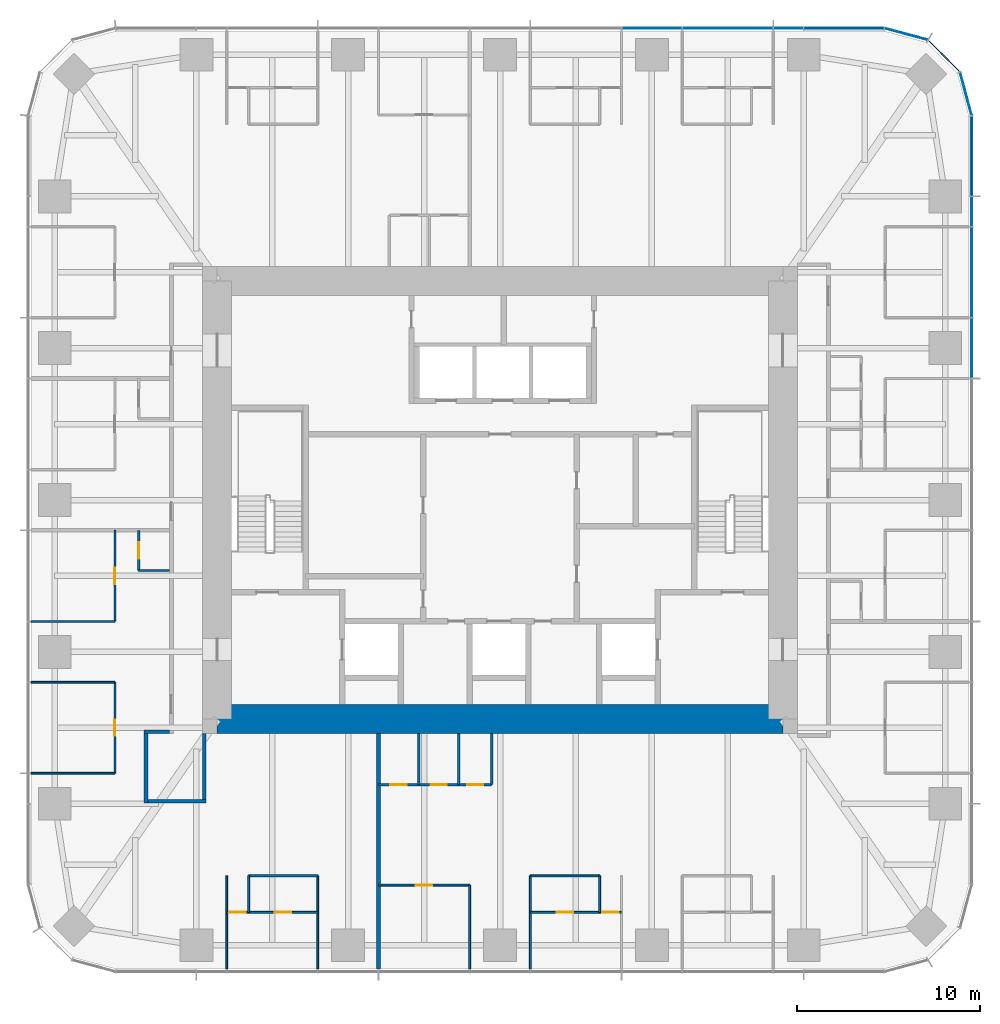
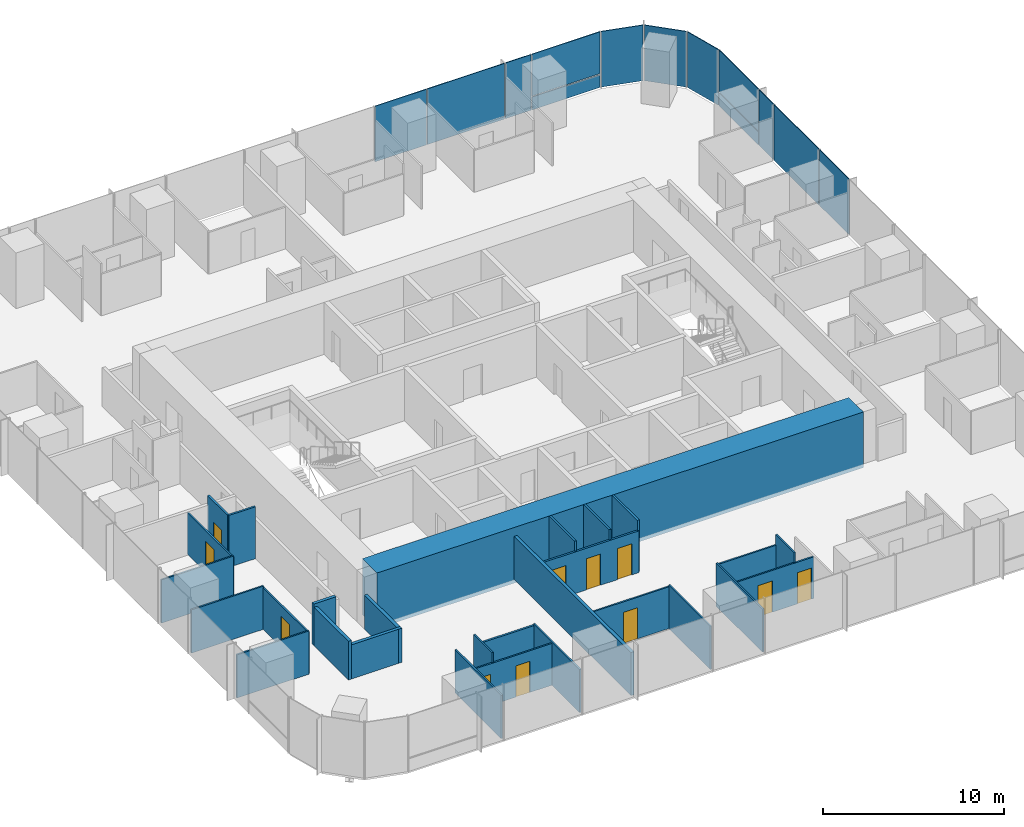
# One storey, part 8 of 13: 28 walls, 13 plates, 11 doors, 11 openings, 3 elements without a shape of their own.
"""IFC4 building model written with IfcOpenShell, lengths in metres."""

from ifc_helpers import new_model, si_unit, direction, frame, frame_2d, origin, origin_2d, place, context, subcontext, project, spatial, rectangle, extrude, material, layer, layer_set, type_object, element, fill, aggregate, save


model = new_model("IFC4")

# Units and contexts
model_context = context("Model", 3, precision=1e-05, world=origin(), true_north=direction((0.0, 1.0)))
body_context = subcontext(model_context, "Body", "Model", "MODEL_VIEW")
ifc_project = project(units=[si_unit("LENGTHUNIT", "METRE"), si_unit("AREAUNIT", "SQUARE_METRE"), si_unit("VOLUMEUNIT", "CUBIC_METRE"), si_unit("PLANEANGLEUNIT", "RADIAN"), si_unit("MASSUNIT", "GRAM", prefix="KILO")], contexts=[model_context])

# Site, building, storey
site_placement = place(None, origin())
site = spatial("IfcSite", under=ifc_project, at=site_placement, CompositionType="ELEMENT")
building_placement = place(site_placement, origin())
building = spatial("IfcBuilding", under=site, at=building_placement, Name="Khuree Lantern Residences", CompositionType="ELEMENT")
storey_placement = place(building_placement, frame((0.0, 0.0, 259.5)))
storey = spatial("IfcBuildingStorey", under=building, at=storey_placement, Name="L65", CompositionType="ELEMENT", Elevation=259.5)

# Curtain wall, plates
ifc_material_1 = material(Name="Bronze anodised aluminium", Category="aluminium")
curtain_wall_type_1 = type_object("IfcCurtainWallType", Name="CW-T2 TOWER CORNER CURTAIN WALL", PredefinedType="USERDEFINED", material=ifc_material_1)
curtain_wall_1_placement = place(storey_placement, origin())
curtain_wall_1 = element("IfcCurtainWall", 1, at=curtain_wall_1_placement, inside=storey, type_object=curtain_wall_type_1, Name="L65 NORTH-EAST CORNER CURTAIN WALL", ObjectType="Faceted corner curtain wall", PredefinedType="USERDEFINED")
ifc_material_2 = material(Name="Bronze tinted triple glazing", Category="glass")
ifc_layer_1 = layer(ifc_material_2, 0.048095703125)
ifc_layer_set_1 = layer_set([ifc_layer_1], Name="FACET PANEL P4")
plate_type_1 = type_object("IfcPlateType", Name="FACET PANEL P4", PredefinedType="CURTAIN_PANEL", material=ifc_layer_set_1)
plate_1_placement = place(storey_placement, frame((25.529052734375, 22.248046875, 0.0), z_axis=(0.0, 0.0, 1.0), x_axis=(-0.258819021888, 0.965925832509, 0.0)))
plate_1 = element("IfcPlate", 2, at=plate_1_placement, type_object=plate_type_1, Name="L65 NORTH-EAST CORNER PANEL 15.1", PredefinedType="CURTAIN_PANEL", context=body_context, shape_type="SweptSolid", body=[
    extrude(rectangle(XDim=2.40869140625, YDim=0.048095703125, at=origin_2d()), origin(), (0.0, 0.0, 1.0), 3.75),
])
plate_2_placement = place(storey_placement, frame((24.328369140625, 24.328369140625, 0.0), z_axis=(0.0, 0.0, 1.0), x_axis=(-0.707106781187, 0.707106781187, 0.0)))
plate_2 = element("IfcPlate", 3, at=plate_2_placement, type_object=plate_type_1, Name="L65 NORTH-EAST CORNER PANEL 16.1", PredefinedType="CURTAIN_PANEL", context=body_context, shape_type="SweptSolid", body=[
    extrude(rectangle(XDim=2.404541015625, YDim=0.048095703125, at=origin_2d()), origin(), (0.0, 0.0, 1.0), 3.75),
])
plate_3_placement = place(storey_placement, frame((22.248046875, 25.529052734375, 0.0), z_axis=(0.0, 0.0, 1.0), x_axis=(-0.965925832509, 0.258819021888, 0.0)))
plate_3 = element("IfcPlate", 4, at=plate_3_placement, type_object=plate_type_1, Name="L65 NORTH-EAST CORNER PANEL 17.1", PredefinedType="CURTAIN_PANEL", context=body_context, shape_type="SweptSolid", body=[
    extrude(rectangle(XDim=2.40869140625, YDim=0.048095703125, at=origin_2d()), origin(), (0.0, 0.0, 1.0), 3.75),
])
aggregate(curtain_wall_1, [plate_1, plate_2, plate_3])

# Curtain wall, plate
curtain_wall_type_2 = type_object("IfcCurtainWallType", Name="CW-T1 TOWER FACE CURTAIN WALL", PredefinedType="USERDEFINED", material=ifc_material_1)
curtain_wall_2_placement = place(storey_placement, origin())
curtain_wall_2 = element("IfcCurtainWall", 5, at=curtain_wall_2_placement, inside=storey, type_object=curtain_wall_type_2, Name="L65 EAST FACE CURTAIN WALL", ObjectType="Stick-built curtain wall", PredefinedType="USERDEFINED")
ifc_material_3 = material(Name="Bronze tinted triple glazing with a ceramic-fritted spandrel band", Category="glass")
ifc_layer_2 = layer(ifc_material_3, 0.048095703125)
ifc_layer_set_2 = layer_set([ifc_layer_2], Name="FIXED LIGHT PANEL P11")
plate_type_2 = type_object("IfcPlateType", Name="FIXED LIGHT PANEL P11", PredefinedType="CURTAIN_PANEL", material=ifc_layer_set_2)
plate_4_placement = place(storey_placement, frame((25.85009765625, 12.47998046875, 0.0), z_axis=(0.0, 0.0, 1.0), x_axis=(0.0, 1.0, 0.0)))
plate_4 = element("IfcPlate", 6, at=plate_4_placement, type_object=plate_type_2, Name="L65 EAST FACE PANEL 12.1", PredefinedType="CURTAIN_PANEL", context=body_context, shape_type="SweptSolid", body=[
    extrude(rectangle(XDim=4.927001953125, YDim=0.048095703125, at=origin_2d()), origin(), (0.0, 0.0, 1.0), 3.75),
])

curtain_wall_3_placement = place(storey_placement, origin())
curtain_wall_3 = element("IfcCurtainWall", 7, at=curtain_wall_3_placement, inside=storey, type_object=curtain_wall_type_2, Name="L65 NORTH FACE CURTAIN WALL", ObjectType="Stick-built curtain wall", PredefinedType="USERDEFINED")
plate_5_placement = place(storey_placement, frame((12.47998046875, 25.85009765625, 0.0), z_axis=(0.0, 0.0, 1.0), x_axis=(-1.0, 0.0, 0.0)))
plate_5 = element("IfcPlate", 8, at=plate_5_placement, type_object=plate_type_2, Name="L65 NORTH FACE PANEL 20.1", PredefinedType="CURTAIN_PANEL", context=body_context, shape_type="SweptSolid", body=[
    extrude(rectangle(XDim=4.927001953125, YDim=0.048095703125, at=origin_2d()), origin(), (0.0, 0.0, 1.0), 3.75),
])

# Plate
ifc_material_4 = material(Name="Bronze tinted triple glazing, two aluminium-framed sashes in one frame", Category="aluminium")
ifc_layer_3 = layer(ifc_material_4, 0.048095703125)
ifc_layer_set_3 = layer_set([ifc_layer_3], Name="SASH PAIR PANEL P12")
plate_type_3 = type_object("IfcPlateType", Name="SASH PAIR PANEL P12", PredefinedType="CURTAIN_PANEL", material=ifc_layer_set_3)
plate_6_placement = place(storey_placement, frame((25.85009765625, 8.320068359375, 0.0), z_axis=(0.0, 0.0, 1.0), x_axis=(0.0, 1.0, 0.0)))
plate_6 = element("IfcPlate", 9, at=plate_6_placement, type_object=plate_type_3, Name="L65 EAST FACE PANEL 11.1", PredefinedType="CURTAIN_PANEL", context=body_context, shape_type="SweptSolid", body=[
    extrude(rectangle(XDim=3.262939453125, YDim=0.048095703125, at=origin_2d()), origin(), (0.0, 0.0, 1.0), 3.75),
])

plate_7_placement = place(storey_placement, frame((8.320068359375, 25.85009765625, 0.0), z_axis=(0.0, 0.0, 1.0), x_axis=(-1.0, 0.0, 0.0)))
plate_7 = element("IfcPlate", 10, at=plate_7_placement, type_object=plate_type_3, Name="L65 NORTH FACE PANEL 21.1", PredefinedType="CURTAIN_PANEL", context=body_context, shape_type="SweptSolid", body=[
    extrude(rectangle(XDim=3.262939453125, YDim=0.048095703125, at=origin_2d()), origin(), (0.0, 0.0, 1.0), 3.75),
])

ifc_material_5 = material(Name="Bronze tinted triple glazing, aluminium-framed sash", Category="aluminium")
ifc_layer_4 = layer(ifc_material_5, 0.048095703125)
ifc_layer_set_4 = layer_set([ifc_layer_4], Name="SASH PANEL P3")
plate_type_4 = type_object("IfcPlateType", Name="SASH PANEL P3", PredefinedType="CURTAIN_PANEL", material=ifc_layer_set_4)
plate_8_placement = place(storey_placement, frame((25.85009765625, 15.80810546875, 0.0), z_axis=(0.0, 0.0, 1.0), x_axis=(0.0, 1.0, 0.0)))
plate_8 = element("IfcPlate", 11, at=plate_8_placement, type_object=plate_type_4, Name="L65 EAST FACE PANEL 13.1", PredefinedType="CURTAIN_PANEL", context=body_context, shape_type="SweptSolid", body=[
    extrude(rectangle(XDim=1.59912109375, YDim=0.048095703125, at=origin_2d()), origin(), (0.0, 0.0, 1.0), 3.75),
])

plate_9_placement = place(storey_placement, frame((15.80810546875, 25.85009765625, 0.0), z_axis=(0.0, 0.0, 1.0), x_axis=(-1.0, 0.0, 0.0)))
plate_9 = element("IfcPlate", 12, at=plate_9_placement, type_object=plate_type_4, Name="L65 NORTH FACE PANEL 19.1", PredefinedType="CURTAIN_PANEL", context=body_context, shape_type="SweptSolid", body=[
    extrude(rectangle(XDim=1.59912109375, YDim=0.048095703125, at=origin_2d()), origin(), (0.0, 0.0, 1.0), 3.75),
])

ifc_material_6 = material(Name="Bronze anodised aluminium insulated spandrel", Category="aluminium")
ifc_layer_5 = layer(ifc_material_6, 0.06005859375)
ifc_layer_set_5 = layer_set([ifc_layer_5], Name="SPANDREL PANEL P2")
plate_type_5 = type_object("IfcPlateType", Name="SPANDREL PANEL P2", PredefinedType="CURTAIN_PANEL", material=ifc_layer_set_5)
plate_10_placement = place(storey_placement, frame((25.85009765625, 18.8427734375, 0.0), z_axis=(0.0, 0.0, 1.0), x_axis=(0.0, 1.0, 0.0)))
plate_10 = element("IfcPlate", 13, at=plate_10_placement, type_object=plate_type_5, Name="L65 EAST FACE PANEL 14.1", PredefinedType="CURTAIN_PANEL", context=body_context, shape_type="SweptSolid", body=[
    extrude(rectangle(XDim=4.3408203125, YDim=0.06005859375, at=origin_2d()), origin(), (0.0, 0.0, 1.0), 0.867431640625),
])

plate_11_placement = place(storey_placement, frame((18.8427734375, 25.85009765625, 0.0), z_axis=(0.0, 0.0, 1.0), x_axis=(-1.0, 0.0, 0.0)))
plate_11 = element("IfcPlate", 14, at=plate_11_placement, type_object=plate_type_5, Name="L65 NORTH FACE PANEL 18.1", PredefinedType="CURTAIN_PANEL", context=body_context, shape_type="SweptSolid", body=[
    extrude(rectangle(XDim=4.3408203125, YDim=0.06005859375, at=origin_2d()), origin(), (0.0, 0.0, 1.0), 0.867431640625),
])

ifc_layer_6 = layer(ifc_material_2, 0.048095703125)
ifc_layer_set_6 = layer_set([ifc_layer_6], Name="VISION PANEL P1")
plate_type_6 = type_object("IfcPlateType", Name="VISION PANEL P1", PredefinedType="CURTAIN_PANEL", material=ifc_layer_set_6)
plate_12_placement = place(storey_placement, frame((25.85009765625, 18.84326171875, 0.9326171875), z_axis=(0.0, 0.0, 1.0), x_axis=(0.0, 1.0, 0.0)))
plate_12 = element("IfcPlate", 15, at=plate_12_placement, type_object=plate_type_6, Name="L65 EAST FACE PANEL 14.2", PredefinedType="CURTAIN_PANEL", context=body_context, shape_type="SweptSolid", body=[
    extrude(rectangle(XDim=4.341552734375, YDim=0.048095703125, at=origin_2d()), origin(), (0.0, 0.0, 1.0), 2.8173828125),
])

aggregate(curtain_wall_2, [plate_6, plate_4, plate_8, plate_10, plate_12])

plate_13_placement = place(storey_placement, frame((18.84326171875, 25.85009765625, 0.9326171875), z_axis=(0.0, 0.0, 1.0), x_axis=(-1.0, 0.0, 0.0)))
plate_13 = element("IfcPlate", 16, at=plate_13_placement, type_object=plate_type_6, Name="L65 NORTH FACE PANEL 18.2", PredefinedType="CURTAIN_PANEL", context=body_context, shape_type="SweptSolid", body=[
    extrude(rectangle(XDim=4.341552734375, YDim=0.048095703125, at=origin_2d()), origin(), (0.0, 0.0, 1.0), 2.8173828125),
])

aggregate(curtain_wall_3, [plate_11, plate_13, plate_9, plate_5, plate_7])

# Wall
ifc_material_7 = material(Name="Moisture-resistant gypsum board on steel studs", Category="steel")
ifc_layer_7 = layer(ifc_material_7, 0.125)
ifc_layer_set_7 = layer_set([ifc_layer_7], Name="BATHROOM WALL BTW125")
wall_type_1 = type_object("IfcWallType", Name="BATHROOM WALL BTW125", PredefinedType="PARTITIONING", material=ifc_layer_set_7)
wall_1_placement = place(storey_placement, frame((-13.77587890625, -20.594970703125, 0.0), z_axis=(0.0, 0.0, 1.0), x_axis=(1.0, 0.0, 0.0)))
element("IfcWall", 17, at=wall_1_placement, inside=storey, type_object=wall_type_1, Name="L65 BATHROOM WALL 05", PredefinedType="PARTITIONING", context=body_context, shape_type="SweptSolid", body=[
    extrude(rectangle(XDim=3.7919921875, YDim=0.125, at=frame_2d((1.89599609375, 0.0))), origin(), (0.0, 0.0, 1.0), 2.81005859375),
])

# Wall, opening, door
wall_2_placement = place(storey_placement, frame((-19.800048828125, -1.6640625, 0.0), z_axis=(0.0, 0.0, 1.0), x_axis=(0.0, -1.0, 0.0)))
wall_2 = element("IfcWall", 18, at=wall_2_placement, inside=storey, type_object=wall_type_1, Name="L65 BATHROOM WALL 05", PredefinedType="PARTITIONING", context=body_context, shape_type="SweptSolid", body=[
    extrude(rectangle(XDim=2.199951171875, YDim=0.125, at=frame_2d((1.10009765625, 0.0))), origin(), (0.0, 0.0, 1.0), 3.5),
])
opening_1_placement = place(wall_2_placement, frame((0.64990234375, 0.0, 0.0)))
opening_1 = element("IfcOpeningElement", 19, at=opening_1_placement, cuts=wall_2, Name="Opening 65-050", PredefinedType="OPENING", context=body_context, shape_type="SweptSolid", body=[
    extrude(rectangle(XDim=0.89990234375, YDim=2.10009765625, at=frame_2d((0.449951171875, 1.050048828125))), frame((0.0, 0.072509765625, 0.0), z_axis=(0.0, -1.0, 0.0), x_axis=(1.0, 0.0, 0.0)), (0.0, 0.0, 1.0), 0.14501953125),
])
ifc_material_8 = material(Name="Timber door leaf in hardwood frame", Category="wood")
door_type_1 = type_object("IfcDoorType", Name="BATHROOM DOOR 900X2100", OperationType="SINGLE_SWING_LEFT", PredefinedType="DOOR", material=ifc_material_8)
door_1_placement = place(opening_1_placement, origin())
door_1 = element("IfcDoor", 20, at=door_1_placement, inside=storey, type_object=door_type_1, Name="Bathroom door 65-050", OperationType="SINGLE_SWING_LEFT", OverallHeight=2.10009765625, OverallWidth=0.89990234375, PredefinedType="DOOR", context=body_context, shape_type="SweptSolid", body=[
    extrude(rectangle(XDim=0.89990234375, YDim=2.10009765625, at=frame_2d((0.449951171875, 1.050048828125))), frame((0.0, 0.02490234375, 0.0), z_axis=(0.0, -1.0, 0.0), x_axis=(1.0, 0.0, 0.0)), (0.0, 0.0, 1.0), 0.050048828125),
])
fill(opening_1, door_1)

# Wall
wall_3_placement = place(storey_placement, frame((-18.10009765625, -3.864013671875, 0.0), z_axis=(0.0, 0.0, 1.0), x_axis=(-1.0, 0.0, 0.0)))
element("IfcWall", 21, at=wall_3_placement, inside=storey, type_object=wall_type_1, Name="L65 BATHROOM WALL 05", PredefinedType="PARTITIONING", context=body_context, shape_type="SweptSolid", body=[
    extrude(rectangle(XDim=1.699951171875, YDim=0.125, at=frame_2d((0.85009765625, 0.0))), origin(), (0.0, 0.0, 1.0), 3.5),
])

# Wall, openings, doors
wall_4_placement = place(storey_placement, frame((-6.656005859375, -15.60009765625, 0.0), z_axis=(0.0, 0.0, 1.0), x_axis=(1.0, 0.0, 0.0)))
wall_4 = element("IfcWall", 22, at=wall_4_placement, inside=storey, type_object=wall_type_1, Name="L65 BATHROOM WALL 06", PredefinedType="PARTITIONING", context=body_context, shape_type="SweptSolid", body=[
    extrude(rectangle(XDim=6.199951171875, YDim=0.125, at=frame_2d((3.10009765625, 0.0))), origin(), (0.0, 0.0, 1.0), 2.81005859375),
])
opening_2_placement = place(wall_4_placement, frame((0.64990234375, 0.0, 0.0)))
opening_2 = element("IfcOpeningElement", 23, at=opening_2_placement, cuts=wall_4, Name="Opening 65-058", PredefinedType="OPENING", context=body_context, shape_type="SweptSolid", body=[
    extrude(rectangle(XDim=0.89990234375, YDim=2.10009765625, at=frame_2d((0.449951171875, 1.050048828125))), frame((0.0, 0.072509765625, 0.0), z_axis=(0.0, -1.0, 0.0), x_axis=(1.0, 0.0, 0.0)), (0.0, 0.0, 1.0), 0.14501953125),
])
opening_3_placement = place(wall_4_placement, frame((2.85009765625, 0.0, 0.0)))
opening_3 = element("IfcOpeningElement", 24, at=opening_3_placement, cuts=wall_4, Name="Opening 65-059", PredefinedType="OPENING", context=body_context, shape_type="SweptSolid", body=[
    extrude(rectangle(XDim=0.89990234375, YDim=2.10009765625, at=frame_2d((0.449951171875, 1.050048828125))), frame((0.0, 0.072509765625, 0.0), z_axis=(0.0, -1.0, 0.0), x_axis=(1.0, 0.0, 0.0)), (0.0, 0.0, 1.0), 0.14501953125),
])
opening_4_placement = place(wall_4_placement, frame((4.85009765625, 0.0, 0.0)))
opening_4 = element("IfcOpeningElement", 25, at=opening_4_placement, cuts=wall_4, Name="Opening 65-060", PredefinedType="OPENING", context=body_context, shape_type="SweptSolid", body=[
    extrude(rectangle(XDim=0.89990234375, YDim=2.10009765625, at=frame_2d((0.449951171875, 1.050048828125))), frame((0.0, 0.072509765625, 0.0), z_axis=(0.0, -1.0, 0.0), x_axis=(1.0, 0.0, 0.0)), (0.0, 0.0, 1.0), 0.14501953125),
])
door_2_placement = place(opening_2_placement, origin())
door_2 = element("IfcDoor", 26, at=door_2_placement, inside=storey, type_object=door_type_1, Name="Bathroom door 65-058", OperationType="SINGLE_SWING_LEFT", OverallHeight=2.10009765625, OverallWidth=0.89990234375, PredefinedType="DOOR", context=body_context, shape_type="SweptSolid", body=[
    extrude(rectangle(XDim=0.89990234375, YDim=2.10009765625, at=frame_2d((0.449951171875, 1.050048828125))), frame((0.0, 0.02490234375, 0.0), z_axis=(0.0, -1.0, 0.0), x_axis=(1.0, 0.0, 0.0)), (0.0, 0.0, 1.0), 0.050048828125),
])
fill(opening_2, door_2)
door_3_placement = place(opening_3_placement, origin())
door_3 = element("IfcDoor", 27, at=door_3_placement, inside=storey, type_object=door_type_1, Name="Bathroom door 65-059", OperationType="SINGLE_SWING_LEFT", OverallHeight=2.10009765625, OverallWidth=0.89990234375, PredefinedType="DOOR", context=body_context, shape_type="SweptSolid", body=[
    extrude(rectangle(XDim=0.89990234375, YDim=2.10009765625, at=frame_2d((0.449951171875, 1.050048828125))), frame((0.0, 0.02490234375, 0.0), z_axis=(0.0, -1.0, 0.0), x_axis=(1.0, 0.0, 0.0)), (0.0, 0.0, 1.0), 0.050048828125),
])
fill(opening_3, door_3)
door_type_2 = type_object("IfcDoorType", Name="DOOR 900X2100", OperationType="SINGLE_SWING_LEFT", PredefinedType="DOOR", material=ifc_material_8)
door_4_placement = place(opening_4_placement, origin())
door_4 = element("IfcDoor", 28, at=door_4_placement, inside=storey, type_object=door_type_2, Name="Store door 65-060", OperationType="SINGLE_SWING_LEFT", OverallHeight=2.10009765625, OverallWidth=0.89990234375, PredefinedType="DOOR", context=body_context, shape_type="SweptSolid", body=[
    extrude(rectangle(XDim=0.89990234375, YDim=2.10009765625, at=frame_2d((0.449951171875, 1.050048828125))), frame((0.0, 0.02490234375, 0.0), z_axis=(0.0, -1.0, 0.0), x_axis=(1.0, 0.0, 0.0)), (0.0, 0.0, 1.0), 0.050048828125),
])
fill(opening_4, door_4)

# Walls
for number, where, z_axis, x_axis, name in (
    (29, (-4.4560546875, -12.800048828125, 0.0), (0.0, 0.0, 1.0), (0.0, -1.0, 0.0), "L65 BATHROOM WALL 06"),
    (30, (-2.256103515625, -12.800048828125, 0.0), (0.0, 0.0, 1.0), (0.0, -1.0, 0.0), "L65 BATHROOM WALL 06"),
    (31, (-0.4560546875, -12.800048828125, 0.0), (0.0, 0.0, 1.0), (0.0, -1.0, 0.0), "L65 BATHROOM WALL 06"),
):
    element("IfcWall", number, at=place(storey_placement, frame(where, z_axis=z_axis, x_axis=x_axis)), inside=storey, type_object=wall_type_1, Name=name, PredefinedType="PARTITIONING", context=body_context, shape_type="SweptSolid", body=[
        extrude(rectangle(XDim=2.800048828125, YDim=0.125, at=frame_2d((1.39990234375, 0.0))), origin(), (0.0, 0.0, 1.0), 3.5),
    ])
ifc_material_9 = material(Name="Gypsum board on steel studs", Category="steel")
ifc_layer_8 = layer(ifc_material_9, 0.199951171875)
ifc_layer_set_8 = layer_set([ifc_layer_8], Name="CORRIDOR WALL CRW200 EI 60")
wall_type_2 = type_object("IfcWallType", Name="CORRIDOR WALL CRW200 EI 60", PredefinedType="PARTITIONING", material=ifc_layer_set_8)
wall_5_placement = place(storey_placement, frame((-18.10009765625, -12.699951171875, 0.0), z_axis=(0.0, 0.0, 1.0), x_axis=(-1.0, 0.0, 0.0)))
element("IfcWall", 32, at=wall_5_placement, inside=storey, type_object=wall_type_2, Name="L65 RESIDENTS LOUNGE WALL", PredefinedType="PARTITIONING", context=body_context, shape_type="SweptSolid", body=[
    extrude(rectangle(XDim=1.39990234375, YDim=0.199951171875, at=frame_2d((0.699951171875, 0.0))), origin(), (0.0, 0.0, 1.0), 2.81005859375),
])
wall_6_placement = place(storey_placement, frame((-19.39990234375, -12.60009765625, 0.0), z_axis=(0.0, 0.0, 1.0), x_axis=(0.0, -1.0, 0.0)))
element("IfcWall", 33, at=wall_6_placement, inside=storey, type_object=wall_type_2, Name="L65 RESIDENTS LOUNGE WALL", PredefinedType="PARTITIONING", context=body_context, shape_type="SweptSolid", body=[
    extrude(rectangle(XDim=4.0, YDim=0.199951171875, at=frame_2d((2.0, 0.0))), origin(), (0.0, 0.0, 1.0), 2.60009765625),
])
wall_7_placement = place(storey_placement, frame((-19.300048828125, -16.5, 0.0), z_axis=(0.0, 0.0, 1.0), x_axis=(1.0, 0.0, 0.0)))
element("IfcWall", 34, at=wall_7_placement, inside=storey, type_object=wall_type_2, Name="L65 RESIDENTS LOUNGE WALL", PredefinedType="PARTITIONING", context=body_context, shape_type="SweptSolid", body=[
    extrude(rectangle(XDim=3.199951171875, YDim=0.199951171875, at=frame_2d((1.60009765625, 0.0))), origin(), (0.0, 0.0, 1.0), 2.300048828125),
])
wall_8_placement = place(storey_placement, frame((-16.199951171875, -16.60009765625, 0.0), z_axis=(0.0, 0.0, 1.0), x_axis=(0.0, 1.0, 0.0)))
element("IfcWall", 35, at=wall_8_placement, inside=storey, type_object=wall_type_2, Name="L65 RESIDENTS LOUNGE WALL", PredefinedType="PARTITIONING", context=body_context, shape_type="SweptSolid", body=[
    extrude(rectangle(XDim=3.800048828125, YDim=0.199951171875, at=frame_2d((1.89990234375, 0.0))), origin(), (0.0, 0.0, 1.0), 2.300048828125),
])
ifc_material_10 = material(Name="Concrete C50/60", Category="concrete")
ifc_layer_9 = layer(ifc_material_10, 1.60009765625)
ifc_layer_set_9 = layer_set([ifc_layer_9], Name="CW1600-C50 CORE WALL C50 1600")
wall_type_3 = type_object("IfcWallType", Name="CW1600-C50 CORE WALL C50 1600", PredefinedType="SHEAR", material=ifc_layer_set_9)
wall_9_placement = place(storey_placement, frame((-15.5, -12.0, -0.25), z_axis=(0.0, 0.0, 1.0), x_axis=(1.0, 0.0, 0.0)))
element("IfcWall", 36, at=wall_9_placement, inside=storey, type_object=wall_type_3, Name="Core wall S", PredefinedType="SHEAR", context=body_context, shape_type="SweptSolid", body=[
    extrude(rectangle(XDim=31.0, YDim=1.60009765625, at=frame_2d((15.5, 0.0))), origin(), (0.0, 0.0, 1.0), 3.75),
])
ifc_layer_10 = layer(ifc_material_9, 0.199951171875)
ifc_layer_set_10 = layer_set([ifc_layer_10], Name="DEMISING WALL DMW200 EI 90")
wall_type_4 = type_object("IfcWallType", Name="DEMISING WALL DMW200 EI 90", PredefinedType="PARTITIONING", material=ifc_layer_set_10)
wall_10_placement = place(storey_placement, frame((-6.656005859375, -12.800048828125, 0.0), z_axis=(0.0, 0.0, 1.0), x_axis=(0.0, -1.0, 0.0)))
element("IfcWall", 37, at=wall_10_placement, inside=storey, type_object=wall_type_4, Name="L65 DEMISING WALL 06", PredefinedType="PARTITIONING", context=body_context, shape_type="SweptSolid", body=[
    extrude(rectangle(XDim=12.89990234375, YDim=0.199951171875, at=frame_2d((6.449951171875, 0.0))), origin(), (0.0, 0.0, 1.0), 2.909912109375),
])
ifc_layer_11 = layer(ifc_material_9, 0.10009765625)
ifc_layer_set_11 = layer_set([ifc_layer_11], Name="PARTITION PT100")
wall_type_5 = type_object("IfcWallType", Name="PARTITION PT100", PredefinedType="PARTITIONING", material=ifc_layer_set_11)
for number, where, z_axis, x_axis, name in (
    (38, (-21.10009765625, -6.656005859375, 0.0), (0.0, 0.0, 1.0), (-1.0, 0.0, 0.0), "L65 PARTITION 05"),
    (39, (-21.10009765625, -9.98388671875, 0.0), (0.0, 0.0, 1.0), (-1.0, 0.0, 0.0), "L65 PARTITION 05"),
    (40, (-21.10009765625, -14.97607421875, 0.0), (0.0, 0.0, 1.0), (-1.0, 0.0, 0.0), "L65 PARTITION 05"),
):
    element("IfcWall", number, at=place(storey_placement, frame(where, z_axis=z_axis, x_axis=x_axis)), inside=storey, type_object=wall_type_5, Name=name, PredefinedType="PARTITIONING", context=body_context, shape_type="SweptSolid", body=[
        extrude(rectangle(XDim=4.599853515625, YDim=0.10009765625, at=frame_2d((2.2998046875, 0.0))), origin(), (0.0, 0.0, 1.0), 2.909912109375),
    ])
for number, where, z_axis, x_axis, name in (
    (41, (-14.97607421875, -20.594970703125, 0.0), (0.0, 0.0, 1.0), (0.0, -1.0, 0.0), "L65 PARTITION 05"),
    (42, (-9.98388671875, -20.594970703125, 0.0), (0.0, 0.0, 1.0), (0.0, -1.0, 0.0), "L65 PARTITION 05"),
):
    element("IfcWall", number, at=place(storey_placement, frame(where, z_axis=z_axis, x_axis=x_axis)), inside=storey, type_object=wall_type_5, Name=name, PredefinedType="PARTITIONING", context=body_context, shape_type="SweptSolid", body=[
        extrude(rectangle(XDim=5.10498046875, YDim=0.10009765625, at=frame_2d((2.552490234375, 0.0))), origin(), (0.0, 0.0, 1.0), 2.909912109375),
    ])
wall_11_placement = place(storey_placement, frame((-1.6640625, -21.10009765625, 0.0), z_axis=(0.0, 0.0, 1.0), x_axis=(0.0, -1.0, 0.0)))
element("IfcWall", 43, at=wall_11_placement, inside=storey, type_object=wall_type_5, Name="L65 PARTITION 06", PredefinedType="PARTITIONING", context=body_context, shape_type="SweptSolid", body=[
    extrude(rectangle(XDim=4.599853515625, YDim=0.10009765625, at=frame_2d((2.2998046875, 0.0))), origin(), (0.0, 0.0, 1.0), 2.909912109375),
])
wall_12_placement = place(storey_placement, frame((1.6640625, -20.594970703125, 0.0), z_axis=(0.0, 0.0, 1.0), x_axis=(0.0, -1.0, 0.0)))
element("IfcWall", 44, at=wall_12_placement, inside=storey, type_object=wall_type_5, Name="L65 PARTITION 06", PredefinedType="PARTITIONING", context=body_context, shape_type="SweptSolid", body=[
    extrude(rectangle(XDim=5.10498046875, YDim=0.10009765625, at=frame_2d((2.552490234375, 0.0))), origin(), (0.0, 0.0, 1.0), 2.909912109375),
])

# Wall, opening, door
wall_13_placement = place(storey_placement, frame((-21.10009765625, -1.6640625, 0.0), z_axis=(0.0, 0.0, 1.0), x_axis=(0.0, -1.0, 0.0)))
wall_13 = element("IfcWall", 45, at=wall_13_placement, inside=storey, type_object=wall_type_5, Name="L65 PARTITION 05", PredefinedType="PARTITIONING", context=body_context, shape_type="SweptSolid", body=[
    extrude(rectangle(XDim=4.991943359375, YDim=0.10009765625, at=frame_2d((2.49609375, 0.0))), origin(), (0.0, 0.0, 1.0), 2.81005859375),
])
opening_5_placement = place(wall_13_placement, frame((2.0458984375, 0.0, 0.0)))
opening_5 = element("IfcOpeningElement", 46, at=opening_5_placement, cuts=wall_13, Name="Opening 65-046", PredefinedType="OPENING", context=body_context, shape_type="SweptSolid", body=[
    extrude(rectangle(XDim=0.89990234375, YDim=2.10009765625, at=frame_2d((0.449951171875, 1.050048828125))), frame((0.0, 0.06005859375, 0.0), z_axis=(0.0, -1.0, 0.0), x_axis=(1.0, 0.0, 0.0)), (0.0, 0.0, 1.0), 0.1201171875),
])
door_type_3 = type_object("IfcDoorType", Name="BEDROOM DOOR 900X2100", OperationType="SINGLE_SWING_LEFT", PredefinedType="DOOR", material=ifc_material_8)
door_5_placement = place(opening_5_placement, origin())
door_5 = element("IfcDoor", 47, at=door_5_placement, inside=storey, type_object=door_type_3, Name="Bedroom door 65-046", OperationType="SINGLE_SWING_LEFT", OverallHeight=2.10009765625, OverallWidth=0.89990234375, PredefinedType="DOOR", context=body_context, shape_type="SweptSolid", body=[
    extrude(rectangle(XDim=0.89990234375, YDim=2.10009765625, at=frame_2d((0.449951171875, 1.050048828125))), frame((0.0, 0.02490234375, 0.0), z_axis=(0.0, -1.0, 0.0), x_axis=(1.0, 0.0, 0.0)), (0.0, 0.0, 1.0), 0.050048828125),
])
fill(opening_5, door_5)

wall_14_placement = place(storey_placement, frame((-21.10009765625, -9.98388671875, 0.0), z_axis=(0.0, 0.0, 1.0), x_axis=(0.0, -1.0, 0.0)))
wall_14 = element("IfcWall", 48, at=wall_14_placement, inside=storey, type_object=wall_type_5, Name="L65 PARTITION 05", PredefinedType="PARTITIONING", context=body_context, shape_type="SweptSolid", body=[
    extrude(rectangle(XDim=4.9921875, YDim=0.10009765625, at=frame_2d((2.49609375, 0.0))), origin(), (0.0, 0.0, 1.0), 2.81005859375),
])
opening_6_placement = place(wall_14_placement, frame((2.0458984375, 0.0, 0.0)))
opening_6 = element("IfcOpeningElement", 49, at=opening_6_placement, cuts=wall_14, Name="Opening 65-047", PredefinedType="OPENING", context=body_context, shape_type="SweptSolid", body=[
    extrude(rectangle(XDim=0.89990234375, YDim=2.10009765625, at=frame_2d((0.449951171875, 1.050048828125))), frame((0.0, 0.06005859375, 0.0), z_axis=(0.0, -1.0, 0.0), x_axis=(1.0, 0.0, 0.0)), (0.0, 0.0, 1.0), 0.1201171875),
])
door_6_placement = place(opening_6_placement, origin())
door_6 = element("IfcDoor", 50, at=door_6_placement, inside=storey, type_object=door_type_3, Name="Bedroom door 65-047", OperationType="SINGLE_SWING_LEFT", OverallHeight=2.10009765625, OverallWidth=0.89990234375, PredefinedType="DOOR", context=body_context, shape_type="SweptSolid", body=[
    extrude(rectangle(XDim=0.89990234375, YDim=2.10009765625, at=frame_2d((0.449951171875, 1.050048828125))), frame((0.0, 0.02490234375, 0.0), z_axis=(0.0, -1.0, 0.0), x_axis=(1.0, 0.0, 0.0)), (0.0, 0.0, 1.0), 0.050048828125),
])
fill(opening_6, door_6)

# Wall, openings, doors
wall_15_placement = place(storey_placement, frame((-14.97607421875, -22.594970703125, 0.0), z_axis=(0.0, 0.0, 1.0), x_axis=(1.0, 0.0, 0.0)))
wall_15 = element("IfcWall", 51, at=wall_15_placement, inside=storey, type_object=wall_type_5, Name="L65 PARTITION 05", PredefinedType="PARTITIONING", context=body_context, shape_type="SweptSolid", body=[
    extrude(rectangle(XDim=4.9921875, YDim=0.10009765625, at=frame_2d((2.49609375, 0.0))), origin(), (0.0, 0.0, 1.0), 2.81005859375),
])
opening_7_placement = place(wall_15_placement, frame((0.14990234375, 0.0, 0.0)))
opening_7 = element("IfcOpeningElement", 52, at=opening_7_placement, cuts=wall_15, Name="Opening 65-048", PredefinedType="OPENING", context=body_context, shape_type="SweptSolid", body=[
    extrude(rectangle(XDim=0.89990234375, YDim=2.10009765625, at=frame_2d((0.449951171875, 1.050048828125))), frame((0.0, 0.06005859375, 0.0), z_axis=(0.0, -1.0, 0.0), x_axis=(1.0, 0.0, 0.0)), (0.0, 0.0, 1.0), 0.1201171875),
])
opening_8_placement = place(wall_15_placement, frame((2.64599609375, 0.0, 0.0)))
opening_8 = element("IfcOpeningElement", 53, at=opening_8_placement, cuts=wall_15, Name="Opening 65-049", PredefinedType="OPENING", context=body_context, shape_type="SweptSolid", body=[
    extrude(rectangle(XDim=0.89990234375, YDim=2.10009765625, at=frame_2d((0.449951171875, 1.050048828125))), frame((0.0, 0.06005859375, 0.0), z_axis=(0.0, -1.0, 0.0), x_axis=(1.0, 0.0, 0.0)), (0.0, 0.0, 1.0), 0.1201171875),
])
door_7_placement = place(opening_8_placement, origin())
door_7 = element("IfcDoor", 54, at=door_7_placement, inside=storey, type_object=door_type_1, Name="Bathroom door 65-049", OperationType="SINGLE_SWING_LEFT", OverallHeight=2.10009765625, OverallWidth=0.89990234375, PredefinedType="DOOR", context=body_context, shape_type="SweptSolid", body=[
    extrude(rectangle(XDim=0.89990234375, YDim=2.10009765625, at=frame_2d((0.449951171875, 1.050048828125))), frame((0.0, 0.02490234375, 0.0), z_axis=(0.0, -1.0, 0.0), x_axis=(1.0, 0.0, 0.0)), (0.0, 0.0, 1.0), 0.050048828125),
])
fill(opening_8, door_7)
door_8_placement = place(opening_7_placement, origin())
door_8 = element("IfcDoor", 55, at=door_8_placement, inside=storey, type_object=door_type_3, Name="Bedroom door 65-048", OperationType="SINGLE_SWING_LEFT", OverallHeight=2.10009765625, OverallWidth=0.89990234375, PredefinedType="DOOR", context=body_context, shape_type="SweptSolid", body=[
    extrude(rectangle(XDim=0.89990234375, YDim=2.10009765625, at=frame_2d((0.449951171875, 1.050048828125))), frame((0.0, 0.02490234375, 0.0), z_axis=(0.0, -1.0, 0.0), x_axis=(1.0, 0.0, 0.0)), (0.0, 0.0, 1.0), 0.050048828125),
])
fill(opening_7, door_8)

# Wall
wall_16_placement = place(storey_placement, frame((-13.77587890625, -20.594970703125, 0.0), z_axis=(0.0, 0.0, 1.0), x_axis=(0.0, -1.0, 0.0)))
element("IfcWall", 56, at=wall_16_placement, inside=storey, type_object=wall_type_5, Name="L65 PARTITION 05", PredefinedType="PARTITIONING", context=body_context, shape_type="SweptSolid", body=[
    extrude(rectangle(XDim=2.0, YDim=0.10009765625, at=frame_2d((1.0, 0.0))), origin(), (0.0, 0.0, 1.0), 3.5),
])

# Wall, opening, door
wall_17_placement = place(storey_placement, frame((-6.656005859375, -21.10009765625, 0.0), z_axis=(0.0, 0.0, 1.0), x_axis=(1.0, 0.0, 0.0)))
wall_17 = element("IfcWall", 57, at=wall_17_placement, inside=storey, type_object=wall_type_5, Name="L65 PARTITION 06", PredefinedType="PARTITIONING", context=body_context, shape_type="SweptSolid", body=[
    extrude(rectangle(XDim=4.991943359375, YDim=0.10009765625, at=frame_2d((2.49609375, 0.0))), origin(), (0.0, 0.0, 1.0), 2.81005859375),
])
opening_9_placement = place(wall_17_placement, frame((2.0458984375, 0.0, 0.0)))
opening_9 = element("IfcOpeningElement", 58, at=opening_9_placement, cuts=wall_17, Name="Opening 65-052", PredefinedType="OPENING", context=body_context, shape_type="SweptSolid", body=[
    extrude(rectangle(XDim=0.89990234375, YDim=2.10009765625, at=frame_2d((0.449951171875, 1.050048828125))), frame((0.0, 0.06005859375, 0.0), z_axis=(0.0, -1.0, 0.0), x_axis=(1.0, 0.0, 0.0)), (0.0, 0.0, 1.0), 0.1201171875),
])
door_9_placement = place(opening_9_placement, origin())
door_9 = element("IfcDoor", 59, at=door_9_placement, inside=storey, type_object=door_type_3, Name="Bedroom door 65-052", OperationType="SINGLE_SWING_LEFT", OverallHeight=2.10009765625, OverallWidth=0.89990234375, PredefinedType="DOOR", context=body_context, shape_type="SweptSolid", body=[
    extrude(rectangle(XDim=0.89990234375, YDim=2.10009765625, at=frame_2d((0.449951171875, 1.050048828125))), frame((0.0, 0.02490234375, 0.0), z_axis=(0.0, -1.0, 0.0), x_axis=(1.0, 0.0, 0.0)), (0.0, 0.0, 1.0), 0.050048828125),
])
fill(opening_9, door_9)

# Wall, openings, doors
wall_18_placement = place(storey_placement, frame((1.6640625, -22.594970703125, 0.0), z_axis=(0.0, 0.0, 1.0), x_axis=(1.0, 0.0, 0.0)))
wall_18 = element("IfcWall", 60, at=wall_18_placement, inside=storey, type_object=wall_type_5, Name="L65 PARTITION 06", PredefinedType="PARTITIONING", context=body_context, shape_type="SweptSolid", body=[
    extrude(rectangle(XDim=4.991943359375, YDim=0.10009765625, at=frame_2d((2.49609375, 0.0))), origin(), (0.0, 0.0, 1.0), 2.81005859375),
])
opening_10_placement = place(wall_18_placement, frame((3.94189453125, 0.0, 0.0)))
opening_10 = element("IfcOpeningElement", 61, at=opening_10_placement, cuts=wall_18, Name="Opening 65-053", PredefinedType="OPENING", context=body_context, shape_type="SweptSolid", body=[
    extrude(rectangle(XDim=0.89990234375, YDim=2.10009765625, at=frame_2d((0.449951171875, 1.050048828125))), frame((0.0, 0.06005859375, 0.0), z_axis=(0.0, -1.0, 0.0), x_axis=(1.0, 0.0, 0.0)), (0.0, 0.0, 1.0), 0.1201171875),
])
opening_11_placement = place(wall_18_placement, frame((1.446044921875, 0.0, 0.0)))
opening_11 = element("IfcOpeningElement", 62, at=opening_11_placement, cuts=wall_18, Name="Opening 65-054", PredefinedType="OPENING", context=body_context, shape_type="SweptSolid", body=[
    extrude(rectangle(XDim=0.89990234375, YDim=2.10009765625, at=frame_2d((0.449951171875, 1.050048828125))), frame((0.0, 0.06005859375, 0.0), z_axis=(0.0, -1.0, 0.0), x_axis=(1.0, 0.0, 0.0)), (0.0, 0.0, 1.0), 0.1201171875),
])
door_10_placement = place(opening_10_placement, origin())
door_10 = element("IfcDoor", 63, at=door_10_placement, inside=storey, type_object=door_type_3, Name="Bedroom door 65-053", OperationType="SINGLE_SWING_LEFT", OverallHeight=2.10009765625, OverallWidth=0.89990234375, PredefinedType="DOOR", context=body_context, shape_type="SweptSolid", body=[
    extrude(rectangle(XDim=0.89990234375, YDim=2.10009765625, at=frame_2d((0.449951171875, 1.050048828125))), frame((0.0, 0.02490234375, 0.0), z_axis=(0.0, -1.0, 0.0), x_axis=(1.0, 0.0, 0.0)), (0.0, 0.0, 1.0), 0.050048828125),
])
fill(opening_10, door_10)
door_11_placement = place(opening_11_placement, origin())
door_11 = element("IfcDoor", 64, at=door_11_placement, inside=storey, type_object=door_type_2, Name="Wardrobe door 65-054", OperationType="SINGLE_SWING_LEFT", OverallHeight=2.10009765625, OverallWidth=0.89990234375, PredefinedType="DOOR", context=body_context, shape_type="SweptSolid", body=[
    extrude(rectangle(XDim=0.89990234375, YDim=2.10009765625, at=frame_2d((0.449951171875, 1.050048828125))), frame((0.0, 0.02490234375, 0.0), z_axis=(0.0, -1.0, 0.0), x_axis=(1.0, 0.0, 0.0)), (0.0, 0.0, 1.0), 0.050048828125),
])
fill(opening_11, door_11)

# Walls
wall_19_placement = place(storey_placement, frame((5.4560546875, -20.594970703125, 0.0), z_axis=(0.0, 0.0, 1.0), x_axis=(0.0, -1.0, 0.0)))
element("IfcWall", 65, at=wall_19_placement, inside=storey, type_object=wall_type_5, Name="L65 PARTITION 06", PredefinedType="PARTITIONING", context=body_context, shape_type="SweptSolid", body=[
    extrude(rectangle(XDim=2.0, YDim=0.10009765625, at=frame_2d((1.0, 0.0))), origin(), (0.0, 0.0, 1.0), 3.5),
])
wall_20_placement = place(storey_placement, frame((1.6640625, -20.594970703125, 0.0), z_axis=(0.0, 0.0, 1.0), x_axis=(1.0, 0.0, 0.0)))
element("IfcWall", 66, at=wall_20_placement, inside=storey, type_object=wall_type_5, Name="L65 PARTITION 06", PredefinedType="PARTITIONING", context=body_context, shape_type="SweptSolid", body=[
    extrude(rectangle(XDim=3.7919921875, YDim=0.10009765625, at=frame_2d((1.89599609375, 0.0))), origin(), (0.0, 0.0, 1.0), 2.81005859375),
])

save(model, "model.ifc")
